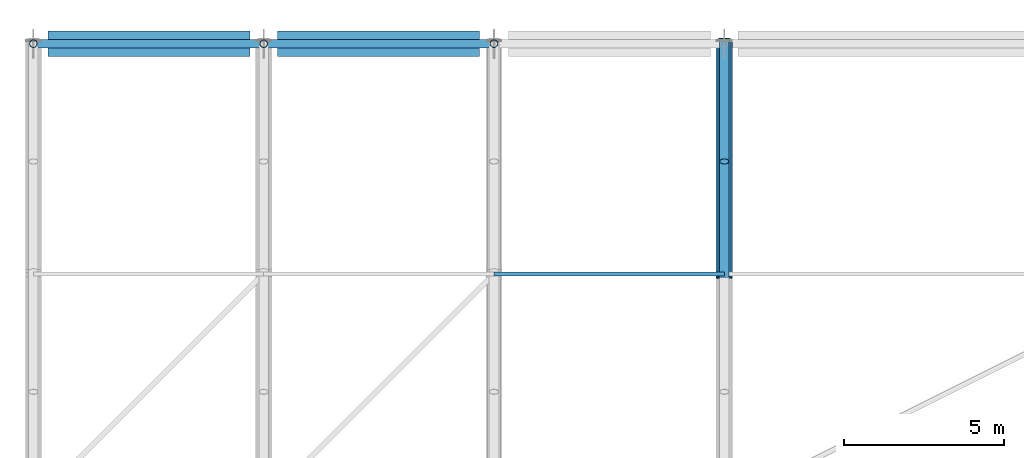
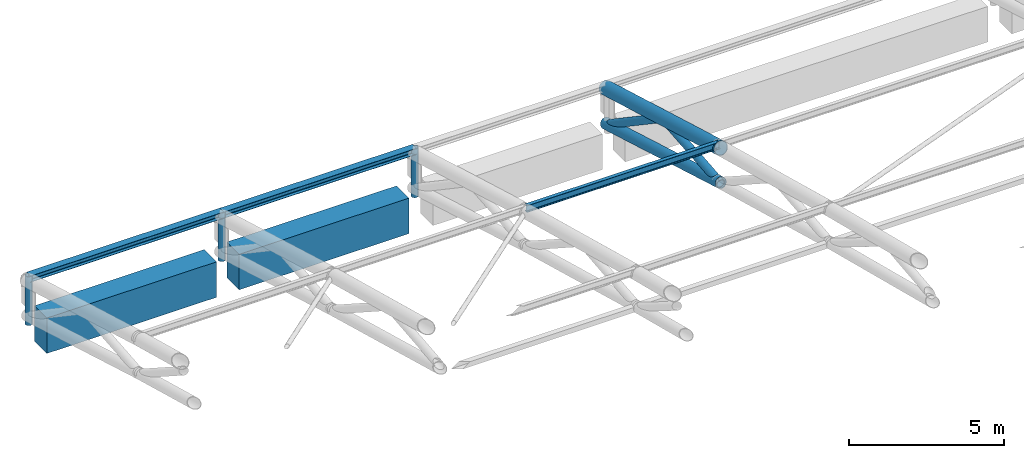
# One storey, part 97 of 193: 10 members, 2 beams.
"""IFC4 building model written with IfcOpenShell, lengths in metres."""

from ifc_helpers import new_model, si_unit, direction, frame, origin, origin_2d, place, context, subcontext, project, spatial, rectangle, hollow_circle, i_section, extrude, material, material_profile, profile_set, type_object, element, save


model = new_model("IFC4")

# Units and contexts
model_context = context("Model", 3, precision=1e-05, world=origin(), true_north=direction((0.0, 1.0)))
body_context = subcontext(model_context, "Body", "Model", "MODEL_VIEW")
ifc_project = project(units=[si_unit("LENGTHUNIT", "METRE"), si_unit("AREAUNIT", "SQUARE_METRE"), si_unit("VOLUMEUNIT", "CUBIC_METRE"), si_unit("PLANEANGLEUNIT", "RADIAN"), si_unit("MASSUNIT", "GRAM", prefix="KILO")], contexts=[model_context])

# Site, building, storey
site_placement = place(None, origin())
site = spatial("IfcSite", under=ifc_project, at=site_placement, CompositionType="ELEMENT")
building_placement = place(site_placement, origin())
building = spatial("IfcBuilding", under=site, at=building_placement, Name="Cendralis Lancet Convention Centre", CompositionType="ELEMENT")
storey_placement = place(building_placement, frame((0.0, 0.0, 10.199951171875)))
storey = spatial("IfcBuildingStorey", under=building, at=storey_placement, Name="L02", CompositionType="ELEMENT", Elevation=10.199951171875)

# Beams
ifc_material_1 = material(Name="Concrete G40 (C40/50)", Category="concrete")
ifc_material_profile_1 = material_profile(ifc_material_1, rectangle(XDim=0.800048828125, YDim=1.39990234375, at=origin_2d()), Name="RCB 800x1400")
ifc_profile_set_1 = profile_set([ifc_material_profile_1], Name="Concrete G40 (C40/50)")
beam_type = type_object("IfcBeamType", Name="STR-BM-BG17", PredefinedType="BEAM", material=ifc_profile_set_1)
for number, where, z_axis, x_axis, name in (
    (1, (0.449951171875, 136.800048828125, 1.5), (1.0, 0.0, 0.0), (0.0, 1.0, 0.0), "L02 Beam BG17 #1323"),
    (2, (7.625, 136.800048828125, 1.5), (1.0, 0.0, 0.0), (0.0, 1.0, 0.0), "L02 Beam BG17 #1324"),
):
    element("IfcBeam", number, at=place(storey_placement, frame(where, z_axis=z_axis, x_axis=x_axis)), inside=storey, type_object=beam_type, Name=name, PredefinedType="BEAM", context=body_context, shape_type="SweptSolid", body=[
        extrude(rectangle(XDim=0.800048828125, YDim=1.39990234375, at=origin_2d()), origin(), (0.0, 0.0, 1.0), 6.324951171875),
    ])

# Members
ifc_material_2 = material(Name="Steel S355", Category="steel")
ifc_material_profile_2 = material_profile(ifc_material_2, i_section(OverallWidth=0.135009765625, OverallDepth=0.27001953125, WebThickness=0.006591796875, FlangeThickness=0.01025390625, FilletRadius=0.014892578125, at=origin_2d()), Name="IPE 270")
ifc_profile_set_2 = profile_set([ifc_material_profile_2], Name="Steel S355")
member_type_1 = type_object("IfcMemberType", Name="STR-PR-PR01", PredefinedType="PURLIN", material=ifc_profile_set_2)
member_1_placement = place(storey_placement, frame((14.39990234375, 129.60009765625, 5.771728515625), z_axis=(1.0, 0.0, 0.0), x_axis=(0.0, 1.0, 0.0)))
element("IfcMember", 3, at=member_1_placement, inside=storey, type_object=member_type_1, Name="Vault Roof Purlin PR01 V1-02-11", PredefinedType="PURLIN", context=body_context, shape_type="SweptSolid", body=[
    extrude(i_section(OverallWidth=0.135009765625, OverallDepth=0.27001953125, WebThickness=0.006591796875, FlangeThickness=0.01025390625, FilletRadius=0.014892578125, at=origin_2d()), origin(), (0.0, 0.0, 1.0), 7.2001953125),
])
ifc_material_profile_3 = material_profile(ifc_material_2, i_section(OverallWidth=0.260009765625, OverallDepth=0.25, WebThickness=0.007568359375, FlangeThickness=0.012451171875, FilletRadius=0.02392578125, at=origin_2d()), Name="HEA 260")
ifc_profile_set_3 = profile_set([ifc_material_profile_3], Name="Steel S355")
member_type_2 = type_object("IfcMemberType", Name="STR-PR-PR07", PredefinedType="PURLIN", material=ifc_profile_set_3)
for number, where, z_axis, x_axis, name in (
    (4, (0.0, 136.800048828125, 3.72509765625), (1.0, 0.0, 0.0), (0.0, 1.0, 0.0), "Vault Roof Purlin PR07 V1-00-12"),
    (5, (7.199951171875, 136.800048828125, 3.72509765625), (1.0, 0.0, 0.0), (0.0, 1.0, 0.0), "Vault Roof Purlin PR07 V1-01-12"),
):
    element("IfcMember", number, at=place(storey_placement, frame(where, z_axis=z_axis, x_axis=x_axis)), inside=storey, type_object=member_type_2, Name=name, PredefinedType="PURLIN", context=body_context, shape_type="SweptSolid", body=[
        extrude(i_section(OverallWidth=0.260009765625, OverallDepth=0.25, WebThickness=0.007568359375, FlangeThickness=0.012451171875, FilletRadius=0.02392578125, at=origin_2d()), origin(), (0.0, 0.0, 1.0), 7.199951171875),
    ])
ifc_material_profile_4 = material_profile(ifc_material_2, hollow_circle(Radius=0.203125, WallThickness=0.01611328125, at=origin_2d()), Name="CHS 406.4x16.0")
ifc_profile_set_4 = profile_set([ifc_material_profile_4], Name="Steel S355")
member_type_3 = type_object("IfcMemberType", Name="STR-TR-BC01-INT", PredefinedType="CHORD", material=ifc_profile_set_4)
member_2_placement = place(storey_placement, frame((21.60009765625, 129.48486328125, 4.32763671875), z_axis=(0.0, 0.960210680483, -0.279276653315), x_axis=(-1.0, 0.0, 0.0)))
element("IfcMember", 6, at=member_2_placement, inside=storey, type_object=member_type_3, Name="ROOF TRUSS AT-V1-04 Bottom Chord 11", PredefinedType="CHORD", context=body_context, shape_type="SweptSolid", body=[
    extrude(hollow_circle(Radius=0.203125, WallThickness=0.01611328125, at=origin_2d()), origin(), (0.0, 0.0, 1.0), 7.73828125),
])
ifc_material_profile_5 = material_profile(ifc_material_2, hollow_circle(Radius=0.25390625, WallThickness=0.02001953125, at=origin_2d()), Name="CHS 508.0x20.0")
ifc_profile_set_5 = profile_set([ifc_material_profile_5], Name="Steel S355")
member_type_4 = type_object("IfcMemberType", Name="STR-TR-TC01-INT", PredefinedType="CHORD", material=ifc_profile_set_5)
member_3_placement = place(storey_placement, frame((21.60009765625, 129.484619140625, 5.689697265625), z_axis=(0.0, 0.961540636093, -0.274662711598), x_axis=(-1.0, 0.0, 0.0)))
element("IfcMember", 7, at=member_3_placement, inside=storey, type_object=member_type_4, Name="ROOF TRUSS AT-V1-04 Top Chord 11", PredefinedType="CHORD", context=body_context, shape_type="SweptSolid", body=[
    extrude(hollow_circle(Radius=0.25390625, WallThickness=0.02001953125, at=origin_2d()), origin(), (0.0, 0.0, 1.0), 7.727783203125),
])
ifc_material_profile_6 = material_profile(ifc_material_2, hollow_circle(Radius=0.149169921875, WallThickness=0.012451171875, at=origin_2d()), Name="CHS 298.5x12.5")
ifc_profile_set_6 = profile_set([ifc_material_profile_6], Name="Steel S355")
member_type_5 = type_object("IfcMemberType", Name="STR-TR-WD01-INT", PredefinedType="BRACE", material=ifc_profile_set_6)
member_4_placement = place(storey_placement, frame((21.60009765625, 129.50048828125, 4.284912109375), z_axis=(0.0, 0.995716162115, 0.092462557307), x_axis=(-1.0, 0.0, 0.0)))
element("IfcMember", 8, at=member_4_placement, inside=storey, type_object=member_type_5, Name="ROOF TRUSS AT-V1-04 Warren Web 11-0", PredefinedType="BRACE", context=body_context, shape_type="SweptSolid", body=[
    extrude(hollow_circle(Radius=0.149169921875, WallThickness=0.012451171875, at=origin_2d()), origin(), (0.0, 0.0, 1.0), 3.8154296875),
])
member_5_placement = place(storey_placement, frame((21.60009765625, 133.1171875, 4.684326171875), z_axis=(0.0, 0.82900316973, -0.559243904372), x_axis=(-1.0, 0.0, 0.0)))
element("IfcMember", 9, at=member_5_placement, inside=storey, type_object=member_type_5, Name="ROOF TRUSS AT-V1-04 Warren Web 11-1", PredefinedType="BRACE", context=body_context, shape_type="SweptSolid", body=[
    extrude(hollow_circle(Radius=0.149169921875, WallThickness=0.012451171875, at=origin_2d()), origin(), (0.0, 0.0, 1.0), 4.542236328125),
])
ifc_material_profile_7 = material_profile(ifc_material_2, hollow_circle(Radius=0.122314453125, WallThickness=0.010009765625, at=origin_2d()), Name="CHS 244.5x10.0")
ifc_profile_set_7 = profile_set([ifc_material_profile_7], Name="Steel S355")
member_type_6 = type_object("IfcMemberType", Name="STR-TR-WV01", PredefinedType="POST", material=ifc_profile_set_7)
member_6_placement = place(storey_placement, frame((0.0, 136.800048828125, 1.900146484375), z_axis=(0.0, 0.0, 1.0), x_axis=(1.0, 0.0, 0.0)))
element("IfcMember", 10, at=member_6_placement, inside=storey, type_object=member_type_6, Name="ROOF TRUSS AT-V1-01 Springing Post N12", PredefinedType="POST", context=body_context, shape_type="SweptSolid", body=[
    extrude(hollow_circle(Radius=0.122314453125, WallThickness=0.010009765625, at=origin_2d()), origin(), (0.0, 0.0, 1.0), 1.919921875),
])
ifc_material_profile_8 = material_profile(ifc_material_2, hollow_circle(Radius=0.122314453125, WallThickness=0.010009765625, at=origin_2d()), Name="CHS 244.5x10.0")
ifc_profile_set_8 = profile_set([ifc_material_profile_8], Name="Steel S355")
member_type_7 = type_object("IfcMemberType", Name="STR-TR-WV01-INT", PredefinedType="POST", material=ifc_profile_set_8)
for number, where, z_axis, x_axis, name in (
    (11, (7.199951171875, 136.800048828125, 1.900146484375), (0.0, 0.0, 1.0), (1.0, 0.0, 0.0), "ROOF TRUSS AT-V1-02 Springing Post N12"),
    (12, (14.39990234375, 136.800048828125, 1.900146484375), (0.0, 0.0, 1.0), (1.0, 0.0, 0.0), "ROOF TRUSS AT-V1-03 Springing Post N12"),
):
    element("IfcMember", number, at=place(storey_placement, frame(where, z_axis=z_axis, x_axis=x_axis)), inside=storey, type_object=member_type_7, Name=name, PredefinedType="POST", context=body_context, shape_type="SweptSolid", body=[
        extrude(hollow_circle(Radius=0.122314453125, WallThickness=0.010009765625, at=origin_2d()), origin(), (0.0, 0.0, 1.0), 1.919921875),
    ])

save(model, "model.ifc")
